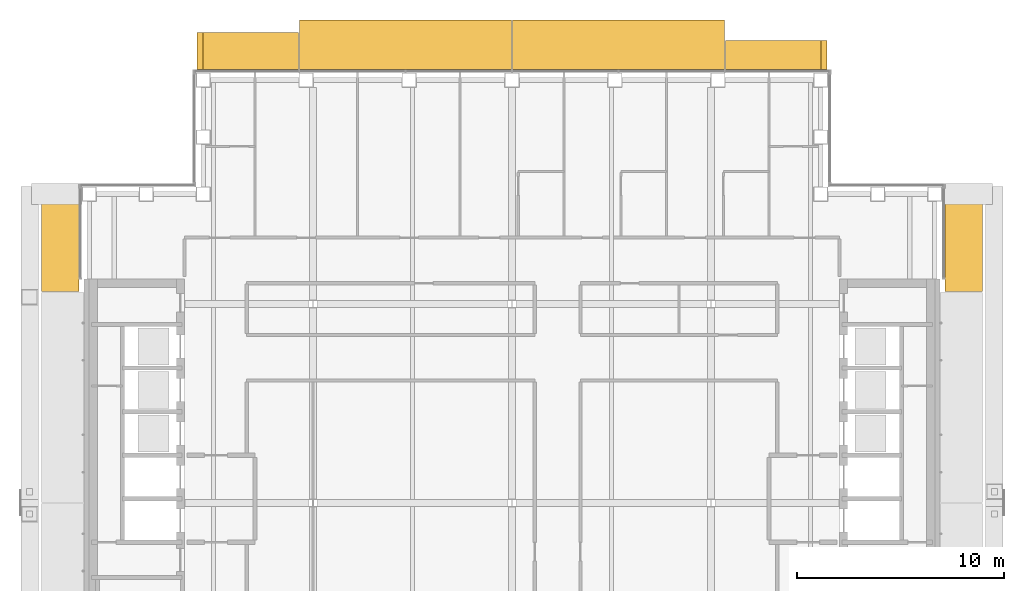
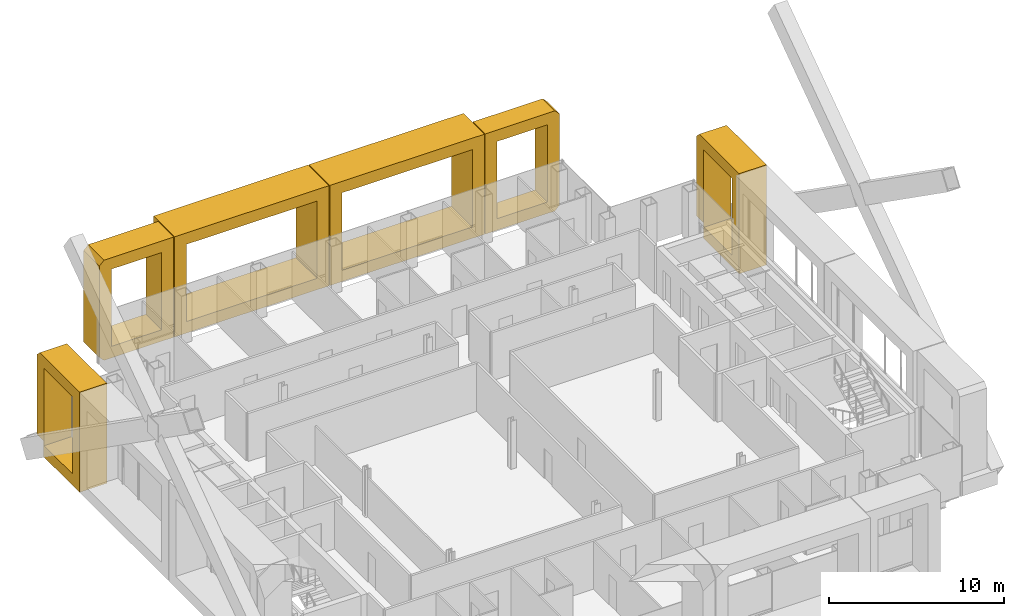
# One storey, part 20 of 21: 6 coverings.
"""IFC4 building model written with IfcOpenShell, lengths in metres."""

from ifc_helpers import new_model, si_unit, direction, frame, origin, place, context, subcontext, project, spatial, polyline, outline, extrude, material, type_object, element, save


model = new_model("IFC4")

# Units and contexts
model_context = context("Model", 3, precision=1e-05, world=origin(), true_north=direction((0.0, 1.0)))
body_context = subcontext(model_context, "Body", "Model", "MODEL_VIEW")
ifc_project = project(units=[si_unit("LENGTHUNIT", "METRE"), si_unit("AREAUNIT", "SQUARE_METRE"), si_unit("VOLUMEUNIT", "CUBIC_METRE"), si_unit("PLANEANGLEUNIT", "RADIAN"), si_unit("MASSUNIT", "GRAM", prefix="KILO")], contexts=[model_context])

# Site, building, storey
site_placement = place(None, origin())
site = spatial("IfcSite", under=ifc_project, at=site_placement, CompositionType="ELEMENT")
building_placement = place(site_placement, origin())
building = spatial("IfcBuilding", under=site, at=building_placement, Name="Cobrizo Arcos Hotel Tower", CompositionType="ELEMENT")
storey_placement = place(building_placement, frame((0.0, 0.0, 212.0)))
storey = spatial("IfcBuildingStorey", under=building, at=storey_placement, Name="L55", CompositionType="ELEMENT", Elevation=212.0)

# Coverings
ifc_material = material(Name="Aluminium 6063-T6 anodised bronze", Category="aluminium")
covering_type_1 = type_object("IfcCoveringType", Name="FIN-F 1400", PredefinedType="CLADDING", material=ifc_material)
covering_1_placement = place(storey_placement, frame((15.199951171875, 20.89990234375, 0.0), z_axis=(0.0, 1.0, 0.0), x_axis=(-1.0, 0.0, 0.0)))
element("IfcCovering", 1, at=covering_1_placement, inside=storey, type_object=covering_type_1, Name="Fin frame 299", PredefinedType="CLADDING", context=body_context, shape_type="SweptSolid", body=[
    extrude(outline(polyline([(0.0, 0.300048828125), (0.300048828125, 0.0), (4.908203125, 0.0), (4.908203125, 7.0), (0.300048828125, 7.0), (0.0, 6.699951171875), (0.0, 0.300048828125)]), holes=[polyline([(4.1083984375, 0.800048828125), (0.800048828125, 0.800048828125), (0.800048828125, 6.199951171875), (4.1083984375, 6.199951171875), (4.1083984375, 0.800048828125)])]), origin(), (0.0, 0.0, 1.0), 1.400146484375),
])
covering_type_2 = type_object("IfcCoveringType", Name="FIN-F 1800", PredefinedType="CLADDING", material=ifc_material)
covering_2_placement = place(storey_placement, frame((-10.291748046875, 20.89990234375, 0.0), z_axis=(0.0, 1.0, 0.0), x_axis=(-1.0, 0.0, 0.0)))
element("IfcCovering", 2, at=covering_2_placement, inside=storey, type_object=covering_type_2, Name="Fin frame 302", PredefinedType="CLADDING", context=body_context, shape_type="SweptSolid", body=[
    extrude(outline(polyline([(0.0, 7.0), (0.0, 0.0), (4.6083984375, 0.0), (4.908203125, 0.300048828125), (4.908203125, 6.699951171875), (4.6083984375, 7.0), (0.0, 7.0)]), holes=[polyline([(4.1083984375, 0.800048828125), (0.800048828125, 0.800048828125), (0.800048828125, 6.199951171875), (4.1083984375, 6.199951171875), (4.1083984375, 0.800048828125)])]), origin(), (0.0, 0.0, 1.0), 1.800048828125),
])
covering_3_placement = place(storey_placement, frame((20.89990234375, 10.191650390625, 0.0), z_axis=(1.0, 0.0, 0.0), x_axis=(0.0, 1.0, 0.0)))
element("IfcCovering", 3, at=covering_3_placement, inside=storey, type_object=covering_type_2, Name="Fin frame 320", PredefinedType="CLADDING", context=body_context, shape_type="SweptSolid", body=[
    extrude(outline(polyline([(0.0, 0.0), (4.106201171875, 0.0), (4.106201171875, 1.10205078125), (4.8583984375, 1.10205078125), (4.8583984375, 6.699951171875), (4.558349609375, 7.0), (0.0, 7.0), (0.0, 0.0)]), holes=[polyline([(4.058349609375, 0.800048828125), (0.800048828125, 0.800048828125), (0.800048828125, 6.199951171875), (4.058349609375, 6.199951171875), (4.058349609375, 0.800048828125)])]), origin(), (0.0, 0.0, 1.0), 1.800048828125),
])
covering_4_placement = place(storey_placement, frame((-20.89990234375, 15.050048828125, 0.0), z_axis=(-1.0, 0.0, 0.0), x_axis=(0.0, -1.0, 0.0)))
element("IfcCovering", 4, at=covering_4_placement, inside=storey, type_object=covering_type_2, Name="Fin frame 353", PredefinedType="CLADDING", context=body_context, shape_type="SweptSolid", body=[
    extrude(outline(polyline([(0.0, 6.699951171875), (0.0, 1.10205078125), (0.751953125, 1.10205078125), (0.751953125, 0.0), (4.8583984375, 0.0), (4.8583984375, 7.0), (0.300048828125, 7.0), (0.0, 6.699951171875)]), holes=[polyline([(4.058349609375, 0.800048828125), (0.800048828125, 0.800048828125), (0.800048828125, 6.199951171875), (4.058349609375, 6.199951171875), (4.058349609375, 0.800048828125)])]), origin(), (0.0, 0.0, 1.0), 1.800048828125),
])
covering_type_3 = type_object("IfcCoveringType", Name="FIN-F 2400", PredefinedType="CLADDING", material=ifc_material)
for number, where, z_axis, x_axis, name in (
    (5, (10.24169921875, 20.89990234375, 0.0), (0.0, 1.0, 0.0), (-1.0, 0.0, 0.0), "Fin frame 300"),
    (6, (-0.02490234375, 20.89990234375, 0.0), (0.0, 1.0, 0.0), (-1.0, 0.0, 0.0), "Fin frame 301"),
):
    element("IfcCovering", number, at=place(storey_placement, frame(where, z_axis=z_axis, x_axis=x_axis)), inside=storey, type_object=covering_type_3, Name=name, PredefinedType="CLADDING", context=body_context, shape_type="SweptSolid", body=[
        extrude(outline(polyline([(0.0, 7.0), (0.0, 0.0), (10.216796875, 0.0), (10.216796875, 7.0), (0.0, 7.0)]), holes=[polyline([(9.416748046875, 0.800048828125), (0.800048828125, 0.800048828125), (0.800048828125, 6.199951171875), (9.416748046875, 6.199951171875), (9.416748046875, 0.800048828125)])]), origin(), (0.0, 0.0, 1.0), 2.400146484375),
    ])

save(model, "model.ifc")
